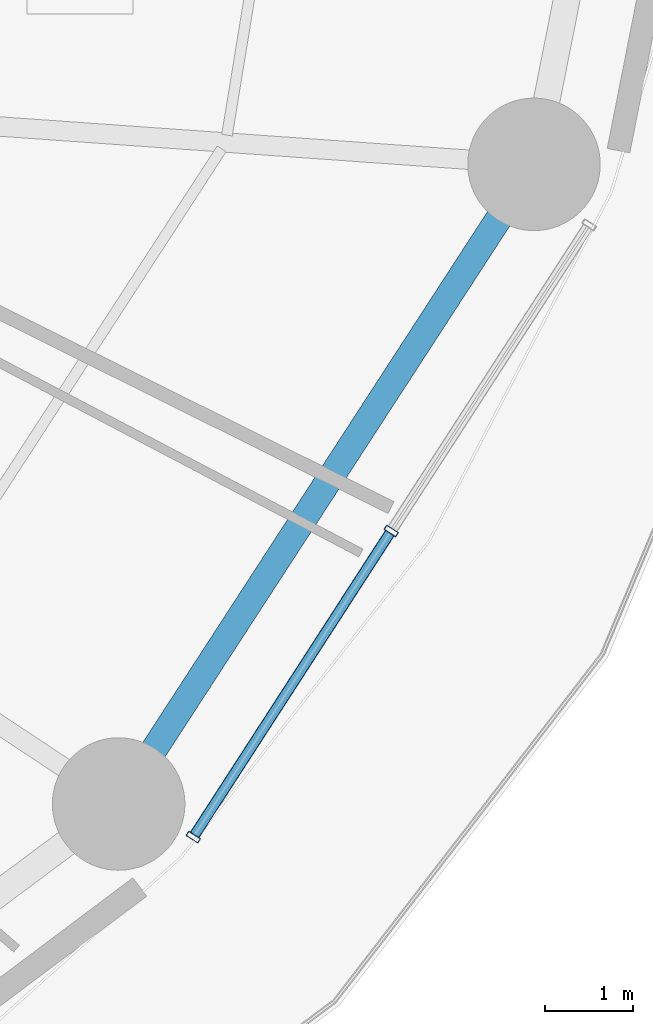
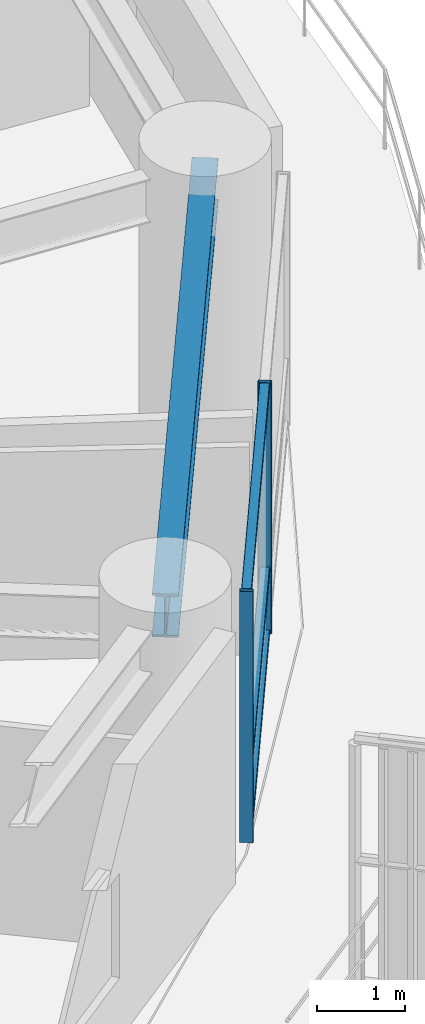
# One storey, part 10 of 32: 5 members, 1 beam, 1 element without a shape of its own.
"""IFC4 building model written with IfcOpenShell, lengths in metres."""

from ifc_helpers import new_model, si_unit, direction, frame, origin, origin_2d, place, context, subcontext, project, spatial, hollow_rectangle, i_section, extrude, material, layer, layer_set, material_profile, profile_set, type_object, element, aggregate, save


model = new_model("IFC4")

# Units and contexts
model_context = context("Model", 3, precision=1e-05, world=origin(), true_north=direction((0.0, 1.0)))
body_context = subcontext(model_context, "Body", "Model", "MODEL_VIEW")
ifc_project = project(units=[si_unit("LENGTHUNIT", "METRE"), si_unit("AREAUNIT", "SQUARE_METRE"), si_unit("VOLUMEUNIT", "CUBIC_METRE"), si_unit("PLANEANGLEUNIT", "RADIAN"), si_unit("MASSUNIT", "GRAM", prefix="KILO")], contexts=[model_context])

# Site, building, storey
site_placement = place(None, origin())
site = spatial("IfcSite", under=ifc_project, at=site_placement, CompositionType="ELEMENT")
building_placement = place(site_placement, origin())
building = spatial("IfcBuilding", under=site, at=building_placement, Name="Kelanora Arch Commons", CompositionType="ELEMENT")
storey_placement = place(building_placement, frame((0.0, 0.0, 56.25)))
storey = spatial("IfcBuildingStorey", under=building, at=storey_placement, Name="L14", CompositionType="ELEMENT", Elevation=56.25)

# Beam
ifc_material_1 = material(Name="Steel S355", Category="steel")
ifc_material_profile_1 = material_profile(ifc_material_1, i_section(OverallWidth=0.300048828125, OverallDepth=0.60009765625, WebThickness=0.015380859375, FlangeThickness=0.030029296875, FilletRadius=0.027099609375, at=origin_2d()), Name="HEB600")
ifc_profile_set_1 = profile_set([ifc_material_profile_1], Name="Steel S355")
beam_type = type_object("IfcBeamType", Name="BM-SPN-Z1", PredefinedType="SPANDREL", material=ifc_profile_set_1)
beam_placement = place(storey_placement, frame((94.744384765625, 42.521728515625, 3.18994140625), z_axis=(0.544585813928, 0.838705127722, 0.0), x_axis=(-0.838705127722, 0.544585813928, 0.0)))
element("IfcBeam", 1, at=beam_placement, inside=storey, type_object=beam_type, Name="Perimeter Spandrel Beam BS-32 L14", PredefinedType="SPANDREL", context=body_context, shape_type="SweptSolid", body=[
    extrude(i_section(OverallWidth=0.300048828125, OverallDepth=0.60009765625, WebThickness=0.015380859375, FlangeThickness=0.030029296875, FilletRadius=0.027099609375, at=origin_2d()), origin(), (0.0, 0.0, 1.0), 8.63525390625),
])

# Curtain wall, members
ifc_material_2 = material(Name="Terracotta ceramic-fritted low-E glass and aluminium", Category="masonry")
ifc_layer = layer(ifc_material_2, 0.159912109375)
ifc_layer_set = layer_set([ifc_layer], Name="Terracotta ceramic-fritted low-E glass and aluminium")
curtain_wall_type = type_object("IfcCurtainWallType", Name="CW-SYS-01", PredefinedType="NOTDEFINED", material=ifc_layer_set)
curtain_wall_placement = place(storey_placement, origin())
curtain_wall = element("IfcCurtainWall", 2, at=curtain_wall_placement, inside=storey, type_object=curtain_wall_type, Name="Unitised Curtain Wall L14-B16", PredefinedType="NOTDEFINED")
ifc_material_3 = material(Name="Powder-coated aluminium terracotta", Category="masonry")
ifc_material_profile_2 = material_profile(ifc_material_3, hollow_rectangle(XDim=0.159912109375, YDim=0.06005859375, WallThickness=0.0048828125, InnerFilletRadius=0.0048828125, OuterFilletRadius=0.010009765625, at=origin_2d()), Name="CWM160x60")
ifc_profile_set_2 = profile_set([ifc_material_profile_2], Name="Powder-coated aluminium terracotta")
member_type_1 = type_object("IfcMemberType", Name="CWM-STD", PredefinedType="MULLION", material=ifc_profile_set_2)
member_1_placement = place(storey_placement, frame((95.58935546875, 42.14697265625, 0.0), z_axis=(0.0, 0.0, 1.0), x_axis=(-0.83972982332, 0.543004441812, 0.0)))
member_1 = element("IfcMember", 3, at=member_1_placement, type_object=member_type_1, Name="CW-01 mullion 1", PredefinedType="MULLION", context=body_context, shape_type="SweptSolid", body=[
    extrude(hollow_rectangle(XDim=0.159912109375, YDim=0.06005859375, WallThickness=0.0048828125, InnerFilletRadius=0.0048828125, OuterFilletRadius=0.010009765625, at=origin_2d()), origin(), (0.0, 0.0, 1.0), 3.47509765625),
])
member_2_placement = place(storey_placement, frame((97.830810546875, 45.61328125, 0.0), z_axis=(0.0, 0.0, 1.0), x_axis=(-0.83972982332, 0.543004441812, 0.0)))
member_2 = element("IfcMember", 4, at=member_2_placement, type_object=member_type_1, Name="CW-01 mullion 2", PredefinedType="MULLION", context=body_context, shape_type="SweptSolid", body=[
    extrude(hollow_rectangle(XDim=0.159912109375, YDim=0.06005859375, WallThickness=0.0048828125, InnerFilletRadius=0.0048828125, OuterFilletRadius=0.010009765625, at=origin_2d()), origin(), (0.0, 0.0, 1.0), 3.47509765625),
])
ifc_material_profile_3 = material_profile(ifc_material_3, hollow_rectangle(XDim=0.1201171875, YDim=0.06005859375, WallThickness=0.0048828125, InnerFilletRadius=0.0048828125, OuterFilletRadius=0.010009765625, at=origin_2d()), Name="CWT120x60")
ifc_profile_set_3 = profile_set([ifc_material_profile_3], Name="Powder-coated aluminium terracotta")
member_type_2 = type_object("IfcMemberType", Name="CWT-STD", PredefinedType="USERDEFINED", material=ifc_profile_set_3)
member_3_placement = place(storey_placement, frame((95.605712890625, 42.17236328125, 0.030029296875), z_axis=(0.542997414293, 0.839734367566, 0.0), x_axis=(-0.839734367566, 0.542997414293, 0.0)))
member_3 = element("IfcMember", 5, at=member_3_placement, type_object=member_type_2, Name="CW-01 transom 1.1", ObjectType="TRANSOM", PredefinedType="USERDEFINED", context=body_context, shape_type="SweptSolid", body=[
    extrude(hollow_rectangle(XDim=0.1201171875, YDim=0.06005859375, WallThickness=0.0048828125, InnerFilletRadius=0.0048828125, OuterFilletRadius=0.010009765625, at=origin_2d()), origin(), (0.0, 0.0, 1.0), 4.067626953125),
])
member_4_placement = place(storey_placement, frame((95.605712890625, 42.17236328125, 0.89990234375), z_axis=(0.542997414293, 0.839734367566, 0.0), x_axis=(-0.839734367566, 0.542997414293, 0.0)))
member_4 = element("IfcMember", 6, at=member_4_placement, type_object=member_type_2, Name="CW-01 transom 1.2", ObjectType="TRANSOM", PredefinedType="USERDEFINED", context=body_context, shape_type="SweptSolid", body=[
    extrude(hollow_rectangle(XDim=0.1201171875, YDim=0.06005859375, WallThickness=0.0048828125, InnerFilletRadius=0.0048828125, OuterFilletRadius=0.010009765625, at=origin_2d()), origin(), (0.0, 0.0, 1.0), 4.067626953125),
])
member_5_placement = place(storey_placement, frame((95.605712890625, 42.17236328125, 3.445068359375), z_axis=(0.542997414293, 0.839734367566, 0.0), x_axis=(-0.839734367566, 0.542997414293, 0.0)))
member_5 = element("IfcMember", 7, at=member_5_placement, type_object=member_type_2, Name="CW-01 transom 1.3", ObjectType="TRANSOM", PredefinedType="USERDEFINED", context=body_context, shape_type="SweptSolid", body=[
    extrude(hollow_rectangle(XDim=0.1201171875, YDim=0.06005859375, WallThickness=0.0048828125, InnerFilletRadius=0.0048828125, OuterFilletRadius=0.010009765625, at=origin_2d()), origin(), (0.0, 0.0, 1.0), 4.067626953125),
])
aggregate(curtain_wall, [member_1, member_2, member_3, member_4, member_5])

save(model, "model.ifc")
